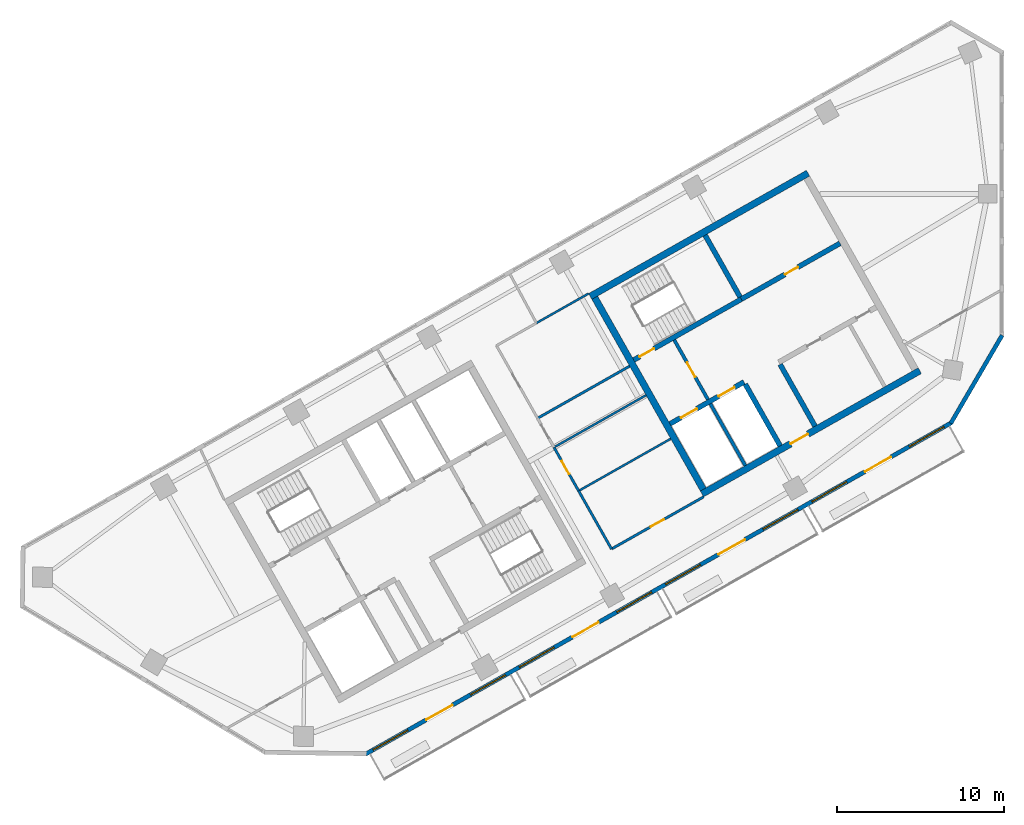
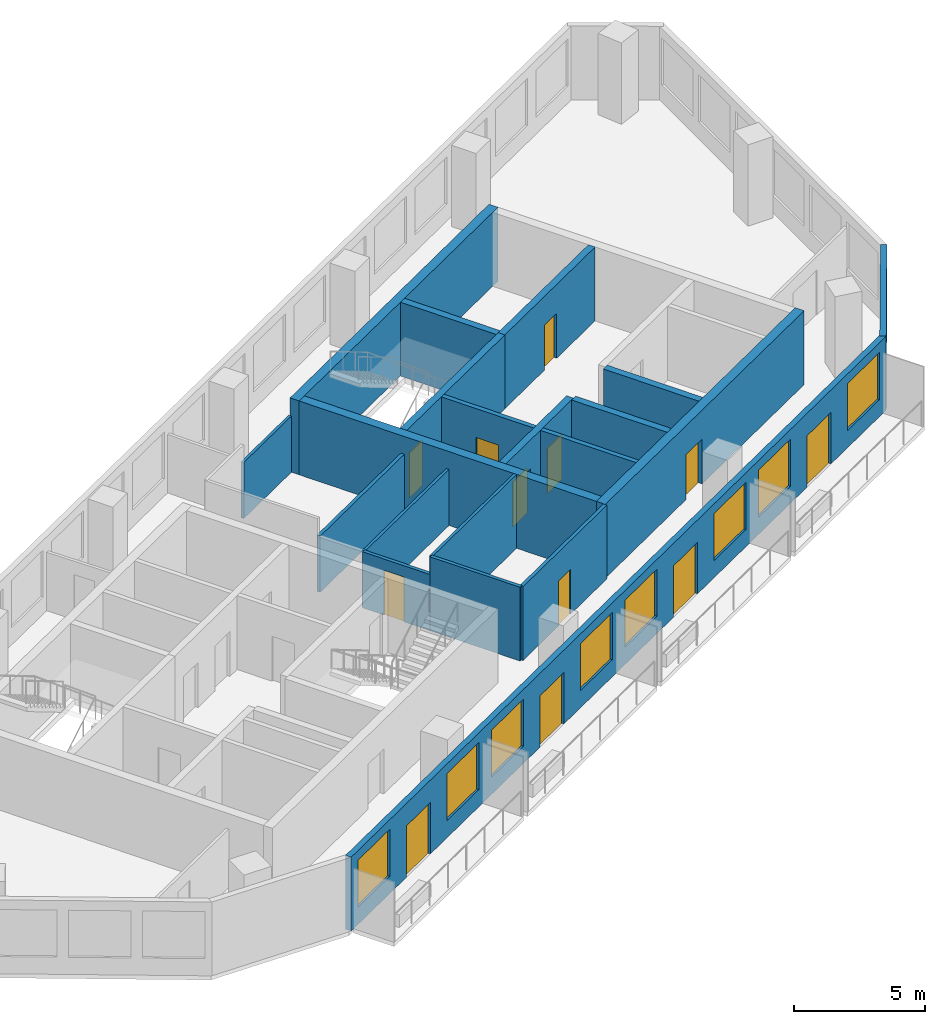
# One storey, part 4 of 7: 20 walls, 12 doors, 8 windows, 20 openings.
"""IFC4 building model written with IfcOpenShell, lengths in metres."""

from ifc_helpers import new_model, si_unit, direction, frame, frame_2d, origin, place, context, subcontext, project, spatial, rectangle, extrude, material, layer, layer_set, type_object, element, fill, save


model = new_model("IFC4")

# Units and contexts
model_context = context("Model", 3, precision=1e-05, world=origin(), true_north=direction((0.0, 1.0)))
body_context = subcontext(model_context, "Body", "Model", "MODEL_VIEW")
ifc_project = project(units=[si_unit("LENGTHUNIT", "METRE"), si_unit("AREAUNIT", "SQUARE_METRE"), si_unit("VOLUMEUNIT", "CUBIC_METRE"), si_unit("PLANEANGLEUNIT", "RADIAN"), si_unit("MASSUNIT", "GRAM", prefix="KILO")], contexts=[model_context])

# Site, building, storey
site_placement = place(None, origin())
site = spatial("IfcSite", under=ifc_project, at=site_placement, CompositionType="ELEMENT")
building_placement = place(site_placement, origin())
building = spatial("IfcBuilding", under=site, at=building_placement, Name="Binnacle Exchange Tower", CompositionType="ELEMENT")
storey_placement = place(building_placement, frame((0.0, 0.0, 281.699951171875)))
storey = spatial("IfcBuildingStorey", under=building, at=storey_placement, Name="L63", CompositionType="ELEMENT", Elevation=281.699951171875)

# Wall, openings, doors
ifc_material_1 = material(Name="Concrete C70/85", Category="concrete")
ifc_layer_1 = layer(ifc_material_1, 0.300048828125)
ifc_layer_set_1 = layer_set([ifc_layer_1], Name="Core wall - front 300")
wall_type_1 = type_object("IfcWallType", Name="Core wall - front 300", PredefinedType="SOLIDWALL", material=ifc_layer_set_1)
wall_1_placement = place(storey_placement, frame((-19.89208984375, 46.2177734375, 0.0), z_axis=(0.0, 0.0, 1.0), x_axis=(0.870341639186, 0.492448404505, 0.0)))
wall_1 = element("IfcWall", 1, at=wall_1_placement, inside=storey, type_object=wall_type_1, Name="Core wall CRWC2", PredefinedType="SOLIDWALL", context=body_context, shape_type="SweptSolid", body=[
    extrude(rectangle(XDim=5.099853515625, YDim=0.300048828125, at=frame_2d((2.5498046875, 0.0))), origin(), (0.0, 0.0, 1.0), 3.449951171875),
])
opening_1_placement = place(wall_1_placement, frame((0.75, 0.0, 0.0)))
opening_1 = element("IfcOpeningElement", 2, at=opening_1_placement, cuts=wall_1, Name="Opening LD14", PredefinedType="OPENING", context=body_context, shape_type="SweptSolid", body=[
    extrude(rectangle(XDim=1.10009765625, YDim=2.10009765625, at=frame_2d((0.550048828125, 1.050048828125))), frame((0.0, 0.159912109375, 0.0), z_axis=(0.0, -1.0, 0.0), x_axis=(1.0, 0.0, 0.0)), (0.0, 0.0, 1.0), 0.320068359375),
])
opening_2_placement = place(wall_1_placement, frame((3.35009765625, 0.0, 0.0)))
opening_2 = element("IfcOpeningElement", 3, at=opening_2_placement, cuts=wall_1, Name="Opening LD11", PredefinedType="OPENING", context=body_context, shape_type="SweptSolid", body=[
    extrude(rectangle(XDim=1.10009765625, YDim=2.10009765625, at=frame_2d((0.550048828125, 1.050048828125))), frame((0.0, 0.159912109375, 0.0), z_axis=(0.0, -1.0, 0.0), x_axis=(1.0, 0.0, 0.0)), (0.0, 0.0, 1.0), 0.320068359375),
])
ifc_material_2 = material(Name="Steel door leaf", Category="steel")
door_type_1 = type_object("IfcDoorType", Name="Fire door - lift landing 1100", OperationType="NOTDEFINED", PredefinedType="DOOR", material=ifc_material_2)
door_1_placement = place(opening_1_placement, origin())
door_1 = element("IfcDoor", 4, at=door_1_placement, inside=storey, type_object=door_type_1, Name="Landing door LD14 L63", OperationType="DOUBLE_DOOR_SLIDING", OverallHeight=2.10009765625, OverallWidth=1.10009765625, PredefinedType="DOOR", context=body_context, shape_type="SweptSolid", body=[
    extrude(rectangle(XDim=1.10009765625, YDim=2.10009765625, at=frame_2d((0.550048828125, 1.050048828125))), frame((0.0, 0.02490234375, 0.0), z_axis=(0.0, -1.0, 0.0), x_axis=(1.0, 0.0, 0.0)), (0.0, 0.0, 1.0), 0.050048828125),
])
fill(opening_1, door_1)
door_2_placement = place(opening_2_placement, origin())
door_2 = element("IfcDoor", 5, at=door_2_placement, inside=storey, type_object=door_type_1, Name="Landing door LD11 L63", OperationType="DOUBLE_DOOR_SLIDING", OverallHeight=2.10009765625, OverallWidth=1.10009765625, PredefinedType="DOOR", context=body_context, shape_type="SweptSolid", body=[
    extrude(rectangle(XDim=1.10009765625, YDim=2.10009765625, at=frame_2d((0.550048828125, 1.050048828125))), frame((0.0, 0.02490234375, 0.0), z_axis=(0.0, -1.0, 0.0), x_axis=(1.0, 0.0, 0.0)), (0.0, 0.0, 1.0), 0.050048828125),
])
fill(opening_2, door_2)

# Wall, opening, door
wall_2_placement = place(storey_placement, frame((-15.6181640625, 53.69140625, 0.0), z_axis=(0.0, 0.0, 1.0), x_axis=(0.870362830851, 0.492410948978, 0.0)))
wall_2 = element("IfcWall", 6, at=wall_2_placement, inside=storey, type_object=wall_type_1, Name="Core wall CRWC5", PredefinedType="SOLIDWALL", context=body_context, shape_type="SweptSolid", body=[
    extrude(rectangle(XDim=6.800048828125, YDim=0.300048828125, at=frame_2d((3.39990234375, 0.0))), origin(), (0.0, 0.0, 1.0), 3.449951171875),
])
opening_3_placement = place(wall_2_placement, frame((3.0, 0.0, 0.0)))
opening_3 = element("IfcOpeningElement", 7, at=opening_3_placement, cuts=wall_2, Name="Opening DC10", PredefinedType="OPENING", context=body_context, shape_type="SweptSolid", body=[
    extrude(rectangle(XDim=0.89990234375, YDim=2.10009765625, at=frame_2d((0.449951171875, 1.050048828125))), frame((0.0, 0.159912109375, 0.0), z_axis=(0.0, -1.0, 0.0), x_axis=(1.0, 0.0, 0.0)), (0.0, 0.0, 1.0), 0.320068359375),
])
door_type_2 = type_object("IfcDoorType", Name="Fire door 900", OperationType="NOTDEFINED", PredefinedType="DOOR", material=ifc_material_2)
door_3_placement = place(opening_3_placement, origin())
door_3 = element("IfcDoor", 8, at=door_3_placement, inside=storey, type_object=door_type_2, Name="Core room door STAFF PANTRY AND STORE", OperationType="SINGLE_SWING_RIGHT", OverallHeight=2.10009765625, OverallWidth=0.89990234375, PredefinedType="DOOR", context=body_context, shape_type="SweptSolid", body=[
    extrude(rectangle(XDim=0.89990234375, YDim=2.10009765625, at=frame_2d((0.449951171875, 1.050048828125))), frame((0.0, 0.02490234375, 0.0), z_axis=(0.0, -1.0, 0.0), x_axis=(1.0, 0.0, 0.0)), (0.0, 0.0, 1.0), 0.050048828125),
])
fill(opening_3, door_3)

# Walls
wall_3_placement = place(storey_placement, frame((-15.37939453125, 48.5986328125, 0.0), z_axis=(0.0, 0.0, 1.0), x_axis=(0.492422543467, -0.870356271124, 0.0)))
element("IfcWall", 9, at=wall_3_placement, inside=storey, type_object=wall_type_1, Name="Core wall CRWC13", PredefinedType="SOLIDWALL", context=body_context, shape_type="SweptSolid", body=[
    extrude(rectangle(XDim=4.25, YDim=0.300048828125, at=frame_2d((2.125, 0.0))), origin(), (0.0, 0.0, 1.0), 3.449951171875),
])
wall_4_placement = place(storey_placement, frame((-13.29052734375, 49.780517578125, 0.0), z_axis=(0.0, 0.0, 1.0), x_axis=(0.492397924348, -0.870370199454, 0.0)))
element("IfcWall", 10, at=wall_4_placement, inside=storey, type_object=wall_type_1, Name="Core wall CRWC15", PredefinedType="SOLIDWALL", context=body_context, shape_type="SweptSolid", body=[
    extrude(rectangle(XDim=4.250244140625, YDim=0.300048828125, at=frame_2d((2.125, 0.0))), origin(), (0.0, 0.0, 1.0), 3.449951171875),
])

# Wall, opening, door
ifc_layer_2 = layer(ifc_material_1, 0.39990234375)
ifc_layer_set_2 = layer_set([ifc_layer_2], Name="Core wall - outer 400")
wall_type_2 = type_object("IfcWallType", Name="Core wall - outer 400", PredefinedType="SOLIDWALL", material=ifc_layer_set_2)
wall_5_placement = place(storey_placement, frame((-17.97509765625, 42.01708984375, 0.0), z_axis=(0.0, 0.0, 1.0), x_axis=(0.87034965173, 0.492434243055, 0.0)))
wall_5 = element("IfcWall", 11, at=wall_5_placement, inside=storey, type_object=wall_type_2, Name="Core wall CRWC1", PredefinedType="SOLIDWALL", context=body_context, shape_type="SweptSolid", body=[
    extrude(rectangle(XDim=15.0, YDim=0.39990234375, at=frame_2d((7.5, 0.0))), origin(), (0.0, 0.0, 1.0), 3.449951171875),
])
opening_4_placement = place(wall_5_placement, frame((6.10009765625, 0.0, 0.0)))
opening_4 = element("IfcOpeningElement", 12, at=opening_4_placement, cuts=wall_5, Name="Opening DC7", PredefinedType="OPENING", context=body_context, shape_type="SweptSolid", body=[
    extrude(rectangle(XDim=1.199951171875, YDim=2.10009765625, at=frame_2d((0.60009765625, 1.050048828125))), frame((0.0, 0.2099609375, 0.0), z_axis=(0.0, -1.0, 0.0), x_axis=(1.0, 0.0, 0.0)), (0.0, 0.0, 1.0), 0.419921875),
])
door_type_3 = type_object("IfcDoorType", Name="Fire door 1200", OperationType="NOTDEFINED", PredefinedType="DOOR", material=ifc_material_2)
door_4_placement = place(opening_4_placement, frame((1.199951171875, 0.0, 0.0), z_axis=(0.0, 0.0, 1.0), x_axis=(-1.0, 0.0, 0.0)))
door_4 = element("IfcDoor", 13, at=door_4_placement, inside=storey, type_object=door_type_3, Name="Lift lobby entrance door core C", OperationType="SINGLE_SWING_RIGHT", OverallHeight=2.10009765625, OverallWidth=1.199951171875, PredefinedType="DOOR", context=body_context, shape_type="SweptSolid", body=[
    extrude(rectangle(XDim=1.199951171875, YDim=2.10009765625, at=frame_2d((0.60009765625, 1.050048828125))), frame((0.0, 0.02490234375, 0.0), z_axis=(0.0, -1.0, 0.0), x_axis=(1.0, 0.0, 0.0)), (0.0, 0.0, 1.0), 0.050048828125),
])
fill(opening_4, door_4)

# Walls
wall_6_placement = place(storey_placement, frame((-24.672119140625, 53.85400390625, 0.0), z_axis=(0.0, 0.0, 1.0), x_axis=(0.870353598469, 0.492427267353, 0.0)))
element("IfcWall", 14, at=wall_6_placement, inside=storey, type_object=wall_type_2, Name="Core wall CRWC6", PredefinedType="SOLIDWALL", context=body_context, shape_type="SweptSolid", body=[
    extrude(rectangle(XDim=15.000244140625, YDim=0.39990234375, at=frame_2d((7.5, 0.0))), origin(), (0.0, 0.0, 1.0), 3.449951171875),
])
wall_7_placement = place(storey_placement, frame((-24.399658203125, 53.778564453125, 0.0), z_axis=(0.0, 0.0, 1.0), x_axis=(0.492421663121, -0.870356769198, 0.0)))
element("IfcWall", 15, at=wall_7_placement, inside=storey, type_object=wall_type_2, Name="Core wall CRWC7", PredefinedType="SOLIDWALL", context=body_context, shape_type="SweptSolid", body=[
    extrude(rectangle(XDim=13.199951171875, YDim=0.39990234375, at=frame_2d((6.60009765625, 0.0))), origin(), (0.0, 0.0, 1.0), 3.449951171875),
])

# Wall, opening, door
ifc_layer_3 = layer(ifc_material_1, 0.300048828125)
ifc_layer_set_3 = layer_set([ifc_layer_3], Name="Core wall - stair 300")
wall_type_3 = type_object("IfcWallType", Name="Core wall - stair 300", PredefinedType="SOLIDWALL", material=ifc_layer_set_3)
wall_8_placement = place(storey_placement, frame((-22.058837890625, 50.04736328125, 0.0), z_axis=(0.0, 0.0, 1.0), x_axis=(0.87035077051, 0.49243226567, 0.0)))
wall_8 = element("IfcWall", 16, at=wall_8_placement, inside=storey, type_object=wall_type_3, Name="Core wall CRWC4", PredefinedType="SOLIDWALL", context=body_context, shape_type="SweptSolid", body=[
    extrude(rectangle(XDim=7.400146484375, YDim=0.300048828125, at=frame_2d((3.7001953125, 0.0))), origin(), (0.0, 0.0, 1.0), 3.449951171875),
])
opening_5_placement = place(wall_8_placement, frame((0.39990234375, 0.0, 0.0)))
opening_5 = element("IfcOpeningElement", 17, at=opening_5_placement, cuts=wall_8, Name="Opening DC1", PredefinedType="OPENING", context=body_context, shape_type="SweptSolid", body=[
    extrude(rectangle(XDim=1.0, YDim=2.10009765625, at=frame_2d((0.5, 1.050048828125))), frame((0.0, 0.159912109375, 0.0), z_axis=(0.0, -1.0, 0.0), x_axis=(1.0, 0.0, 0.0)), (0.0, 0.0, 1.0), 0.320068359375),
])
door_type_4 = type_object("IfcDoorType", Name="Fire door 1000", OperationType="NOTDEFINED", PredefinedType="DOOR", material=ifc_material_2)
door_5_placement = place(opening_5_placement, origin())
door_5 = element("IfcDoor", 18, at=door_5_placement, inside=storey, type_object=door_type_4, Name="Stair door ST-C1", OperationType="SINGLE_SWING_LEFT", OverallHeight=2.10009765625, OverallWidth=1.0, PredefinedType="DOOR", context=body_context, shape_type="SweptSolid", body=[
    extrude(rectangle(XDim=1.0, YDim=2.10009765625, at=frame_2d((0.5, 1.050048828125))), frame((0.0, 0.02490234375, 0.0), z_axis=(0.0, -1.0, 0.0), x_axis=(1.0, 0.0, 0.0)), (0.0, 0.0, 1.0), 0.050048828125),
])
fill(opening_5, door_5)

# Walls
wall_9_placement = place(storey_placement, frame((-17.784912109375, 57.52099609375, 0.0), z_axis=(0.0, 0.0, 1.0), x_axis=(0.492422543467, -0.870356271124, 0.0)))
element("IfcWall", 19, at=wall_9_placement, inside=storey, type_object=wall_type_3, Name="Core wall CRWC14", PredefinedType="SOLIDWALL", context=body_context, shape_type="SweptSolid", body=[
    extrude(rectangle(XDim=4.25, YDim=0.300048828125, at=frame_2d((2.125, 0.0))), origin(), (0.0, 0.0, 1.0), 3.449951171875),
])
ifc_material_3 = material(Name="Bronze aluminium cladding", Category="aluminium")
ifc_layer_4 = layer(ifc_material_3, 0.25)
ifc_layer_set_4 = layer_set([ifc_layer_4], Name="External wall - window wall 250")
wall_type_4 = type_object("IfcWallType", Name="External wall - window wall 250", PredefinedType="STANDARD", material=ifc_layer_set_4)
wall_10_placement = place(storey_placement, frame((0.01708984375, 51.529296875, 0.0), z_axis=(0.0, 0.0, 1.0), x_axis=(-0.503769237131, -0.863838269424, 0.0)))
element("IfcWall", 20, at=wall_10_placement, inside=storey, type_object=wall_type_4, Name="External wall EW-H00 L63", PredefinedType="STANDARD", context=body_context, shape_type="SweptSolid", body=[
    extrude(rectangle(XDim=6.114501953125, YDim=0.25, at=frame_2d((3.05712890625, 0.0))), origin(), (0.0, 0.0, 1.0), 3.449951171875),
])

# Wall, openings, doors, windows
wall_11_placement = place(storey_placement, frame((-3.016845703125, 46.293212890625, 0.0), z_axis=(0.0, 0.0, 1.0), x_axis=(-0.870355474887, -0.492423950812, 0.0)))
wall_11 = element("IfcWall", 21, at=wall_11_placement, inside=storey, type_object=wall_type_4, Name="External wall EW-H07 L63", PredefinedType="STANDARD", context=body_context, shape_type="SweptSolid", body=[
    extrude(rectangle(XDim=40.34033203125, YDim=0.25, at=frame_2d((20.170166015625, 0.0))), origin(), (0.0, 0.0, 1.0), 3.449951171875),
])
opening_6_placement = place(wall_11_placement, frame((37.428466796875, 0.0, 0.800048828125)))
opening_6 = element("IfcOpeningElement", 22, at=opening_6_placement, cuts=wall_11, Name="Opening WR2", PredefinedType="OPENING", context=body_context, shape_type="SweptSolid", body=[
    extrude(rectangle(XDim=2.39990234375, YDim=2.199951171875, at=frame_2d((1.199951171875, 1.10009765625))), frame((0.0, 0.135009765625, 0.0), z_axis=(0.0, -1.0, 0.0), x_axis=(1.0, 0.0, 0.0)), (0.0, 0.0, 1.0), 0.27001953125),
])
opening_7_placement = place(wall_11_placement, frame((34.372314453125, 0.0, 0.0)))
opening_7 = element("IfcOpeningElement", 23, at=opening_7_placement, cuts=wall_11, Name="Opening D-FS18-01", PredefinedType="OPENING", context=body_context, shape_type="SweptSolid", body=[
    extrude(rectangle(XDim=1.800048828125, YDim=2.39990234375, at=frame_2d((0.89990234375, 1.199951171875))), frame((0.0, 0.135009765625, 0.0), z_axis=(0.0, -1.0, 0.0), x_axis=(1.0, 0.0, 0.0)), (0.0, 0.0, 1.0), 0.27001953125),
])
opening_8_placement = place(wall_11_placement, frame((30.71630859375, 0.0, 0.800048828125)))
opening_8 = element("IfcOpeningElement", 24, at=opening_8_placement, cuts=wall_11, Name="Opening WR2", PredefinedType="OPENING", context=body_context, shape_type="SweptSolid", body=[
    extrude(rectangle(XDim=2.39990234375, YDim=2.199951171875, at=frame_2d((1.199951171875, 1.10009765625))), frame((0.0, 0.135009765625, 0.0), z_axis=(0.0, -1.0, 0.0), x_axis=(1.0, 0.0, 0.0)), (0.0, 0.0, 1.0), 0.27001953125),
])
opening_9_placement = place(wall_11_placement, frame((27.3603515625, 0.0, 0.800048828125)))
opening_9 = element("IfcOpeningElement", 25, at=opening_9_placement, cuts=wall_11, Name="Opening WR2", PredefinedType="OPENING", context=body_context, shape_type="SweptSolid", body=[
    extrude(rectangle(XDim=2.39990234375, YDim=2.199951171875, at=frame_2d((1.199951171875, 1.10009765625))), frame((0.0, 0.135009765625, 0.0), z_axis=(0.0, -1.0, 0.0), x_axis=(1.0, 0.0, 0.0)), (0.0, 0.0, 1.0), 0.27001953125),
])
opening_10_placement = place(wall_11_placement, frame((24.30419921875, 0.0, 0.0)))
opening_10 = element("IfcOpeningElement", 26, at=opening_10_placement, cuts=wall_11, Name="Opening D-FS18-02", PredefinedType="OPENING", context=body_context, shape_type="SweptSolid", body=[
    extrude(rectangle(XDim=1.800048828125, YDim=2.39990234375, at=frame_2d((0.89990234375, 1.199951171875))), frame((0.0, 0.135009765625, 0.0), z_axis=(0.0, -1.0, 0.0), x_axis=(1.0, 0.0, 0.0)), (0.0, 0.0, 1.0), 0.27001953125),
])
opening_11_placement = place(wall_11_placement, frame((20.648193359375, 0.0, 0.800048828125)))
opening_11 = element("IfcOpeningElement", 27, at=opening_11_placement, cuts=wall_11, Name="Opening WR2", PredefinedType="OPENING", context=body_context, shape_type="SweptSolid", body=[
    extrude(rectangle(XDim=2.39990234375, YDim=2.199951171875, at=frame_2d((1.199951171875, 1.10009765625))), frame((0.0, 0.135009765625, 0.0), z_axis=(0.0, -1.0, 0.0), x_axis=(1.0, 0.0, 0.0)), (0.0, 0.0, 1.0), 0.27001953125),
])
opening_12_placement = place(wall_11_placement, frame((17.2919921875, 0.0, 0.800048828125)))
opening_12 = element("IfcOpeningElement", 28, at=opening_12_placement, cuts=wall_11, Name="Opening WR2", PredefinedType="OPENING", context=body_context, shape_type="SweptSolid", body=[
    extrude(rectangle(XDim=2.39990234375, YDim=2.199951171875, at=frame_2d((1.199951171875, 1.10009765625))), frame((0.0, 0.135009765625, 0.0), z_axis=(0.0, -1.0, 0.0), x_axis=(1.0, 0.0, 0.0)), (0.0, 0.0, 1.0), 0.27001953125),
])
opening_13_placement = place(wall_11_placement, frame((14.236083984375, 0.0, 0.0)))
opening_13 = element("IfcOpeningElement", 29, at=opening_13_placement, cuts=wall_11, Name="Opening D-FS18-03", PredefinedType="OPENING", context=body_context, shape_type="SweptSolid", body=[
    extrude(rectangle(XDim=1.800048828125, YDim=2.39990234375, at=frame_2d((0.89990234375, 1.199951171875))), frame((0.0, 0.135009765625, 0.0), z_axis=(0.0, -1.0, 0.0), x_axis=(1.0, 0.0, 0.0)), (0.0, 0.0, 1.0), 0.27001953125),
])
opening_14_placement = place(wall_11_placement, frame((10.580078125, 0.0, 0.800048828125)))
opening_14 = element("IfcOpeningElement", 30, at=opening_14_placement, cuts=wall_11, Name="Opening WR2", PredefinedType="OPENING", context=body_context, shape_type="SweptSolid", body=[
    extrude(rectangle(XDim=2.39990234375, YDim=2.199951171875, at=frame_2d((1.199951171875, 1.10009765625))), frame((0.0, 0.135009765625, 0.0), z_axis=(0.0, -1.0, 0.0), x_axis=(1.0, 0.0, 0.0)), (0.0, 0.0, 1.0), 0.27001953125),
])
opening_15_placement = place(wall_11_placement, frame((7.223876953125, 0.0, 0.800048828125)))
opening_15 = element("IfcOpeningElement", 31, at=opening_15_placement, cuts=wall_11, Name="Opening WR2", PredefinedType="OPENING", context=body_context, shape_type="SweptSolid", body=[
    extrude(rectangle(XDim=2.39990234375, YDim=2.199951171875, at=frame_2d((1.199951171875, 1.10009765625))), frame((0.0, 0.135009765625, 0.0), z_axis=(0.0, -1.0, 0.0), x_axis=(1.0, 0.0, 0.0)), (0.0, 0.0, 1.0), 0.27001953125),
])
opening_16_placement = place(wall_11_placement, frame((4.16796875, 0.0, 0.0)))
opening_16 = element("IfcOpeningElement", 32, at=opening_16_placement, cuts=wall_11, Name="Opening D-FS18-04", PredefinedType="OPENING", context=body_context, shape_type="SweptSolid", body=[
    extrude(rectangle(XDim=1.800048828125, YDim=2.39990234375, at=frame_2d((0.89990234375, 1.199951171875))), frame((0.0, 0.135009765625, 0.0), z_axis=(0.0, -1.0, 0.0), x_axis=(1.0, 0.0, 0.0)), (0.0, 0.0, 1.0), 0.27001953125),
])
opening_17_placement = place(wall_11_placement, frame((0.51171875, 0.0, 0.800048828125)))
opening_17 = element("IfcOpeningElement", 33, at=opening_17_placement, cuts=wall_11, Name="Opening WR2", PredefinedType="OPENING", context=body_context, shape_type="SweptSolid", body=[
    extrude(rectangle(XDim=2.39990234375, YDim=2.199951171875, at=frame_2d((1.199951171875, 1.10009765625))), frame((0.0, 0.135009765625, 0.0), z_axis=(0.0, -1.0, 0.0), x_axis=(1.0, 0.0, 0.0)), (0.0, 0.0, 1.0), 0.27001953125),
])
ifc_material_4 = material(Name="Bronze anodised aluminium frame", Category="aluminium")
door_type_5 = type_object("IfcDoorType", Name="DB DOOR 1800x2400", OperationType="DOUBLE_DOOR_SINGLE_SWING", PredefinedType="DOOR", material=ifc_material_4)
door_6_placement = place(opening_7_placement, origin())
door_6 = element("IfcDoor", 34, at=door_6_placement, inside=storey, type_object=door_type_5, Name="Door D-FS18-01 L63", OperationType="DOUBLE_DOOR_SINGLE_SWING", OverallHeight=2.39990234375, OverallWidth=1.800048828125, PredefinedType="DOOR", context=body_context, shape_type="SweptSolid", body=[
    extrude(rectangle(XDim=1.800048828125, YDim=2.39990234375, at=frame_2d((0.89990234375, 1.199951171875))), frame((0.0, 0.02490234375, 0.0), z_axis=(0.0, -1.0, 0.0), x_axis=(1.0, 0.0, 0.0)), (0.0, 0.0, 1.0), 0.050048828125),
])
fill(opening_7, door_6)
door_7_placement = place(opening_10_placement, origin())
door_7 = element("IfcDoor", 35, at=door_7_placement, inside=storey, type_object=door_type_5, Name="Door D-FS18-02 L63", OperationType="DOUBLE_DOOR_SINGLE_SWING", OverallHeight=2.39990234375, OverallWidth=1.800048828125, PredefinedType="DOOR", context=body_context, shape_type="SweptSolid", body=[
    extrude(rectangle(XDim=1.800048828125, YDim=2.39990234375, at=frame_2d((0.89990234375, 1.199951171875))), frame((0.0, 0.02490234375, 0.0), z_axis=(0.0, -1.0, 0.0), x_axis=(1.0, 0.0, 0.0)), (0.0, 0.0, 1.0), 0.050048828125),
])
fill(opening_10, door_7)
door_8_placement = place(opening_13_placement, origin())
door_8 = element("IfcDoor", 36, at=door_8_placement, inside=storey, type_object=door_type_5, Name="Door D-FS18-03 L63", OperationType="DOUBLE_DOOR_SINGLE_SWING", OverallHeight=2.39990234375, OverallWidth=1.800048828125, PredefinedType="DOOR", context=body_context, shape_type="SweptSolid", body=[
    extrude(rectangle(XDim=1.800048828125, YDim=2.39990234375, at=frame_2d((0.89990234375, 1.199951171875))), frame((0.0, 0.02490234375, 0.0), z_axis=(0.0, -1.0, 0.0), x_axis=(1.0, 0.0, 0.0)), (0.0, 0.0, 1.0), 0.050048828125),
])
fill(opening_13, door_8)
door_9_placement = place(opening_16_placement, origin())
door_9 = element("IfcDoor", 37, at=door_9_placement, inside=storey, type_object=door_type_5, Name="Door D-FS18-04 L63", OperationType="DOUBLE_DOOR_SINGLE_SWING", OverallHeight=2.39990234375, OverallWidth=1.800048828125, PredefinedType="DOOR", context=body_context, shape_type="SweptSolid", body=[
    extrude(rectangle(XDim=1.800048828125, YDim=2.39990234375, at=frame_2d((0.89990234375, 1.199951171875))), frame((0.0, 0.02490234375, 0.0), z_axis=(0.0, -1.0, 0.0), x_axis=(1.0, 0.0, 0.0)), (0.0, 0.0, 1.0), 0.050048828125),
])
fill(opening_16, door_9)
window_type = type_object("IfcWindowType", Name="WR2 WINDOW 2400x2200", PartitioningType="SINGLE_PANEL", PredefinedType="WINDOW", material=ifc_material_4)
window_1_placement = place(opening_6_placement, origin())
window_1 = element("IfcWindow", 38, at=window_1_placement, inside=storey, type_object=window_type, Name="Window WR2 L63", OverallHeight=2.199951171875, OverallWidth=2.39990234375, PartitioningType="SINGLE_PANEL", PredefinedType="WINDOW", context=body_context, shape_type="SweptSolid", body=[
    extrude(rectangle(XDim=2.39990234375, YDim=2.199951171875, at=frame_2d((1.199951171875, 1.10009765625))), frame((0.0, 0.030029296875, 0.0), z_axis=(0.0, -1.0, 0.0), x_axis=(1.0, 0.0, 0.0)), (0.0, 0.0, 1.0), 0.06005859375),
])
fill(opening_6, window_1)
window_2_placement = place(opening_8_placement, origin())
window_2 = element("IfcWindow", 39, at=window_2_placement, inside=storey, type_object=window_type, Name="Window WR2 L63", OverallHeight=2.199951171875, OverallWidth=2.39990234375, PartitioningType="SINGLE_PANEL", PredefinedType="WINDOW", context=body_context, shape_type="SweptSolid", body=[
    extrude(rectangle(XDim=2.39990234375, YDim=2.199951171875, at=frame_2d((1.199951171875, 1.10009765625))), frame((0.0, 0.030029296875, 0.0), z_axis=(0.0, -1.0, 0.0), x_axis=(1.0, 0.0, 0.0)), (0.0, 0.0, 1.0), 0.06005859375),
])
fill(opening_8, window_2)
window_3_placement = place(opening_9_placement, origin())
window_3 = element("IfcWindow", 40, at=window_3_placement, inside=storey, type_object=window_type, Name="Window WR2 L63", OverallHeight=2.199951171875, OverallWidth=2.39990234375, PartitioningType="SINGLE_PANEL", PredefinedType="WINDOW", context=body_context, shape_type="SweptSolid", body=[
    extrude(rectangle(XDim=2.39990234375, YDim=2.199951171875, at=frame_2d((1.199951171875, 1.10009765625))), frame((0.0, 0.030029296875, 0.0), z_axis=(0.0, -1.0, 0.0), x_axis=(1.0, 0.0, 0.0)), (0.0, 0.0, 1.0), 0.06005859375),
])
fill(opening_9, window_3)
window_4_placement = place(opening_11_placement, origin())
window_4 = element("IfcWindow", 41, at=window_4_placement, inside=storey, type_object=window_type, Name="Window WR2 L63", OverallHeight=2.199951171875, OverallWidth=2.39990234375, PartitioningType="SINGLE_PANEL", PredefinedType="WINDOW", context=body_context, shape_type="SweptSolid", body=[
    extrude(rectangle(XDim=2.39990234375, YDim=2.199951171875, at=frame_2d((1.199951171875, 1.10009765625))), frame((0.0, 0.030029296875, 0.0), z_axis=(0.0, -1.0, 0.0), x_axis=(1.0, 0.0, 0.0)), (0.0, 0.0, 1.0), 0.06005859375),
])
fill(opening_11, window_4)
window_5_placement = place(opening_12_placement, origin())
window_5 = element("IfcWindow", 42, at=window_5_placement, inside=storey, type_object=window_type, Name="Window WR2 L63", OverallHeight=2.199951171875, OverallWidth=2.39990234375, PartitioningType="SINGLE_PANEL", PredefinedType="WINDOW", context=body_context, shape_type="SweptSolid", body=[
    extrude(rectangle(XDim=2.39990234375, YDim=2.199951171875, at=frame_2d((1.199951171875, 1.10009765625))), frame((0.0, 0.030029296875, 0.0), z_axis=(0.0, -1.0, 0.0), x_axis=(1.0, 0.0, 0.0)), (0.0, 0.0, 1.0), 0.06005859375),
])
fill(opening_12, window_5)
window_6_placement = place(opening_14_placement, origin())
window_6 = element("IfcWindow", 43, at=window_6_placement, inside=storey, type_object=window_type, Name="Window WR2 L63", OverallHeight=2.199951171875, OverallWidth=2.39990234375, PartitioningType="SINGLE_PANEL", PredefinedType="WINDOW", context=body_context, shape_type="SweptSolid", body=[
    extrude(rectangle(XDim=2.39990234375, YDim=2.199951171875, at=frame_2d((1.199951171875, 1.10009765625))), frame((0.0, 0.030029296875, 0.0), z_axis=(0.0, -1.0, 0.0), x_axis=(1.0, 0.0, 0.0)), (0.0, 0.0, 1.0), 0.06005859375),
])
fill(opening_14, window_6)
window_7_placement = place(opening_15_placement, origin())
window_7 = element("IfcWindow", 44, at=window_7_placement, inside=storey, type_object=window_type, Name="Window WR2 L63", OverallHeight=2.199951171875, OverallWidth=2.39990234375, PartitioningType="SINGLE_PANEL", PredefinedType="WINDOW", context=body_context, shape_type="SweptSolid", body=[
    extrude(rectangle(XDim=2.39990234375, YDim=2.199951171875, at=frame_2d((1.199951171875, 1.10009765625))), frame((0.0, 0.030029296875, 0.0), z_axis=(0.0, -1.0, 0.0), x_axis=(1.0, 0.0, 0.0)), (0.0, 0.0, 1.0), 0.06005859375),
])
fill(opening_15, window_7)
window_8_placement = place(opening_17_placement, origin())
window_8 = element("IfcWindow", 45, at=window_8_placement, inside=storey, type_object=window_type, Name="Window WR2 L63", OverallHeight=2.199951171875, OverallWidth=2.39990234375, PartitioningType="SINGLE_PANEL", PredefinedType="WINDOW", context=body_context, shape_type="SweptSolid", body=[
    extrude(rectangle(XDim=2.39990234375, YDim=2.199951171875, at=frame_2d((1.199951171875, 1.10009765625))), frame((0.0, 0.030029296875, 0.0), z_axis=(0.0, -1.0, 0.0), x_axis=(1.0, 0.0, 0.0)), (0.0, 0.0, 1.0), 0.06005859375),
])
fill(opening_17, window_8)

# Wall, opening, door
ifc_material_5 = material(Name="Masonry block wall", Category="masonry")
ifc_layer_5 = layer(ifc_material_5, 0.199951171875)
ifc_layer_set_5 = layer_set([ifc_layer_5], Name="Fire wall - vestibule 200")
wall_type_5 = type_object("IfcWallType", Name="Fire wall - vestibule 200", PredefinedType="PARTITIONING", material=ifc_layer_set_5)
wall_12_placement = place(storey_placement, frame((-19.635009765625, 51.246337890625, 0.0), z_axis=(0.0, 0.0, 1.0), x_axis=(0.492408451753, -0.87036424366, 0.0)))
wall_12 = element("IfcWall", 46, at=wall_12_placement, inside=storey, type_object=wall_type_5, Name="Core wall CRWC10", PredefinedType="PARTITIONING", context=body_context, shape_type="SweptSolid", body=[
    extrude(rectangle(XDim=4.099853515625, YDim=0.199951171875, at=frame_2d((2.0498046875, 0.0))), origin(), (0.0, 0.0, 1.0), 3.449951171875),
])
opening_18_placement = place(wall_12_placement, frame((1.550048828125, 0.0, 0.0)))
opening_18 = element("IfcOpeningElement", 47, at=opening_18_placement, cuts=wall_12, Name="Opening DC3", PredefinedType="OPENING", context=body_context, shape_type="SweptSolid", body=[
    extrude(rectangle(XDim=1.0, YDim=2.10009765625, at=frame_2d((0.5, 1.050048828125))), frame((0.0, 0.10986328125, 0.0), z_axis=(0.0, -1.0, 0.0), x_axis=(1.0, 0.0, 0.0)), (0.0, 0.0, 1.0), 0.219970703125),
])
door_10_placement = place(opening_18_placement, frame((1.0, 0.0, 0.0), z_axis=(0.0, 0.0, 1.0), x_axis=(-1.0, 0.0, 0.0)))
door_10 = element("IfcDoor", 48, at=door_10_placement, inside=storey, type_object=door_type_4, Name="Vestibule door VEST-W", OperationType="SINGLE_SWING_RIGHT", OverallHeight=2.10009765625, OverallWidth=1.0, PredefinedType="DOOR", context=body_context, shape_type="SweptSolid", body=[
    extrude(rectangle(XDim=1.0, YDim=2.10009765625, at=frame_2d((0.5, 1.050048828125))), frame((0.0, 0.02490234375, 0.0), z_axis=(0.0, -1.0, 0.0), x_axis=(1.0, 0.0, 0.0)), (0.0, 0.0, 1.0), 0.050048828125),
])
fill(opening_18, door_10)

# Wall
ifc_material_6 = material(Name="Gypsum partition fire rated")
ifc_layer_6 = layer(ifc_material_6, 0.14990234375)
ifc_layer_set_6 = layer_set([ifc_layer_6], Name="Fire-rated partition 150")
wall_type_6 = type_object("IfcWallType", Name="Fire-rated partition 150", PredefinedType="PARTITIONING", material=ifc_layer_set_6)
wall_13_placement = place(storey_placement, frame((-27.826904296875, 46.553955078125, 0.0), z_axis=(0.0, 0.0, 1.0), x_axis=(0.870339695563, 0.492451839602, 0.0)))
element("IfcWall", 49, at=wall_13_placement, inside=storey, type_object=wall_type_6, Name="Partition W09", PredefinedType="PARTITIONING", context=body_context, shape_type="SweptSolid", body=[
    extrude(rectangle(XDim=6.33984375, YDim=0.14990234375, at=frame_2d((3.169921875, 0.0))), origin(), (0.0, 0.0, 1.0), 2.6220703125),
])

# Wall, opening, door
wall_14_placement = place(storey_placement, frame((-26.842041015625, 44.81298828125, 0.0), z_axis=(0.0, 0.0, 1.0), x_axis=(0.492365617434, -0.870388475779, 0.0)))
wall_14 = element("IfcWall", 50, at=wall_14_placement, inside=storey, type_object=wall_type_6, Name="Partition W10", PredefinedType="PARTITIONING", context=body_context, shape_type="SweptSolid", body=[
    extrude(rectangle(XDim=3.0, YDim=0.14990234375, at=frame_2d((1.5, 0.0))), origin(), (0.0, 0.0, 1.0), 2.6220703125),
])
opening_19_placement = place(wall_14_placement, frame((0.949951171875, 0.0, 0.0)))
opening_19 = element("IfcOpeningElement", 51, at=opening_19_placement, cuts=wall_14, Name="Opening DL61-05", PredefinedType="OPENING", context=body_context, shape_type="SweptSolid", body=[
    extrude(rectangle(XDim=0.89990234375, YDim=2.10009765625, at=frame_2d((0.449951171875, 1.050048828125))), frame((0.0, 0.0849609375, 0.0), z_axis=(0.0, -1.0, 0.0), x_axis=(1.0, 0.0, 0.0)), (0.0, 0.0, 1.0), 0.169921875),
])
door_11_placement = place(opening_19_placement, origin())
door_11 = element("IfcDoor", 52, at=door_11_placement, inside=storey, type_object=door_type_2, Name="Door DL61-05", OperationType="SINGLE_SWING_LEFT", OverallHeight=2.10009765625, OverallWidth=0.89990234375, PredefinedType="DOOR", context=body_context, shape_type="SweptSolid", body=[
    extrude(rectangle(XDim=0.89990234375, YDim=2.10009765625, at=frame_2d((0.449951171875, 1.050048828125))), frame((0.0, 0.02490234375, 0.0), z_axis=(0.0, -1.0, 0.0), x_axis=(1.0, 0.0, 0.0)), (0.0, 0.0, 1.0), 0.050048828125),
])
fill(opening_19, door_11)

# Wall
wall_15_placement = place(storey_placement, frame((-25.364990234375, 42.201904296875, 0.0), z_axis=(0.0, 0.0, 1.0), x_axis=(0.492525823506, -0.870297830159, 0.0)))
element("IfcWall", 53, at=wall_15_placement, inside=storey, type_object=wall_type_6, Name="Partition W12", PredefinedType="PARTITIONING", context=body_context, shape_type="SweptSolid", body=[
    extrude(rectangle(XDim=3.999755859375, YDim=0.14990234375, at=frame_2d((2.0, 0.0))), origin(), (0.0, 0.0, 1.0), 3.449951171875),
])

# Wall, opening, door
wall_16_placement = place(storey_placement, frame((-23.39501953125, 38.720947265625, 0.0), z_axis=(0.0, 0.0, 1.0), x_axis=(0.870349033841, 0.492435335137, 0.0)))
wall_16 = element("IfcWall", 54, at=wall_16_placement, inside=storey, type_object=wall_type_6, Name="Partition W14", PredefinedType="PARTITIONING", context=body_context, shape_type="SweptSolid", body=[
    extrude(rectangle(XDim=6.340087890625, YDim=0.14990234375, at=frame_2d((3.169921875, 0.0))), origin(), (0.0, 0.0, 1.0), 3.449951171875),
])
opening_20_placement = place(wall_16_placement, frame((2.699951171875, 0.0, 0.0)))
opening_20 = element("IfcOpeningElement", 55, at=opening_20_placement, cuts=wall_16, Name="Opening DL61-04", PredefinedType="OPENING", context=body_context, shape_type="SweptSolid", body=[
    extrude(rectangle(XDim=0.89990234375, YDim=2.10009765625, at=frame_2d((0.449951171875, 1.050048828125))), frame((0.0, 0.0849609375, 0.0), z_axis=(0.0, -1.0, 0.0), x_axis=(1.0, 0.0, 0.0)), (0.0, 0.0, 1.0), 0.169921875),
])
door_12_placement = place(opening_20_placement, origin())
door_12 = element("IfcDoor", 56, at=door_12_placement, inside=storey, type_object=door_type_2, Name="Door DL61-04", OperationType="SINGLE_SWING_LEFT", OverallHeight=2.10009765625, OverallWidth=0.89990234375, PredefinedType="DOOR", context=body_context, shape_type="SweptSolid", body=[
    extrude(rectangle(XDim=0.89990234375, YDim=2.10009765625, at=frame_2d((0.449951171875, 1.050048828125))), frame((0.0, 0.02490234375, 0.0), z_axis=(0.0, -1.0, 0.0), x_axis=(1.0, 0.0, 0.0)), (0.0, 0.0, 1.0), 0.050048828125),
])
fill(opening_20, door_12)

# Walls
ifc_material_7 = material(Name="Gypsum partition")
ifc_layer_7 = layer(ifc_material_7, 0.125)
ifc_layer_set_7 = layer_set([ifc_layer_7], Name="Partition 125")
wall_type_7 = type_object("IfcWallType", Name="Partition 125", PredefinedType="PARTITIONING", material=ifc_layer_set_7)
wall_17_placement = place(storey_placement, frame((-27.89599609375, 52.260009765625, 0.0), z_axis=(0.0, 0.0, 1.0), x_axis=(0.870352535776, 0.492429145632, 0.0)))
element("IfcWall", 57, at=wall_17_placement, inside=storey, type_object=wall_type_7, Name="Partition W07", PredefinedType="PARTITIONING", context=body_context, shape_type="SweptSolid", body=[
    extrude(rectangle(XDim=3.590576171875, YDim=0.125, at=frame_2d((1.79541015625, 0.0))), origin(), (0.0, 0.0, 1.0), 2.6220703125),
])
wall_18_placement = place(storey_placement, frame((-26.842041015625, 44.81298828125, 0.0), z_axis=(0.0, 0.0, 1.0), x_axis=(0.870283015025, 0.492552001071, 0.0)))
element("IfcWall", 58, at=wall_18_placement, inside=storey, type_object=wall_type_7, Name="Partition W11", PredefinedType="PARTITIONING", context=body_context, shape_type="SweptSolid", body=[
    extrude(rectangle(XDim=6.340576171875, YDim=0.125, at=frame_2d((3.17041015625, 0.0))), origin(), (0.0, 0.0, 1.0), 2.6220703125),
])
wall_19_placement = place(storey_placement, frame((-25.364990234375, 42.201904296875, 0.0), z_axis=(0.0, 0.0, 1.0), x_axis=(0.870320373616, 0.492485986875, 0.0)))
element("IfcWall", 59, at=wall_19_placement, inside=storey, type_object=wall_type_7, Name="Partition W13", PredefinedType="PARTITIONING", context=body_context, shape_type="SweptSolid", body=[
    extrude(rectangle(XDim=6.34130859375, YDim=0.125, at=frame_2d((3.170654296875, 0.0))), origin(), (0.0, 0.0, 1.0), 3.449951171875),
])
ifc_layer_8 = layer(ifc_material_5, 0.199951171875)
ifc_layer_set_8 = layer_set([ifc_layer_8], Name="Shaft wall 200")
wall_type_8 = type_object("IfcWallType", Name="Shaft wall 200", PredefinedType="SOLIDWALL", material=ifc_layer_set_8)
wall_20_placement = place(storey_placement, frame((-17.468505859375, 47.416748046875, 0.0), z_axis=(0.0, 0.0, 1.0), x_axis=(0.492466057713, -0.870331650579, 0.0)))
element("IfcWall", 60, at=wall_20_placement, inside=storey, type_object=wall_type_8, Name="Core wall CRWC9", PredefinedType="SOLIDWALL", context=body_context, shape_type="SweptSolid", body=[
    extrude(rectangle(XDim=4.25, YDim=0.199951171875, at=frame_2d((2.125, 0.0))), origin(), (0.0, 0.0, 1.0), 3.449951171875),
])

save(model, "model.ifc")
